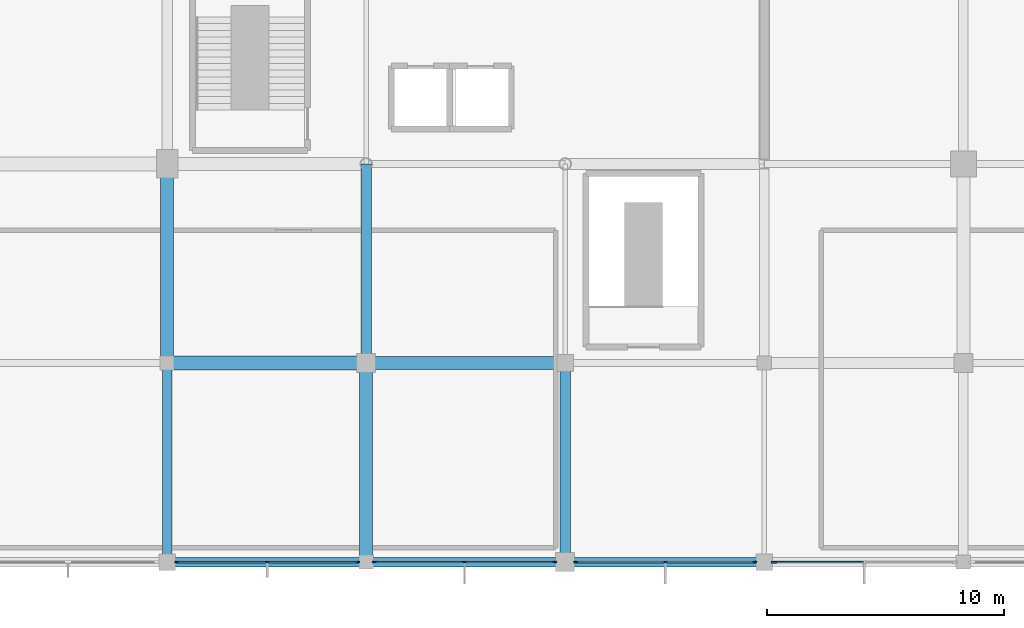
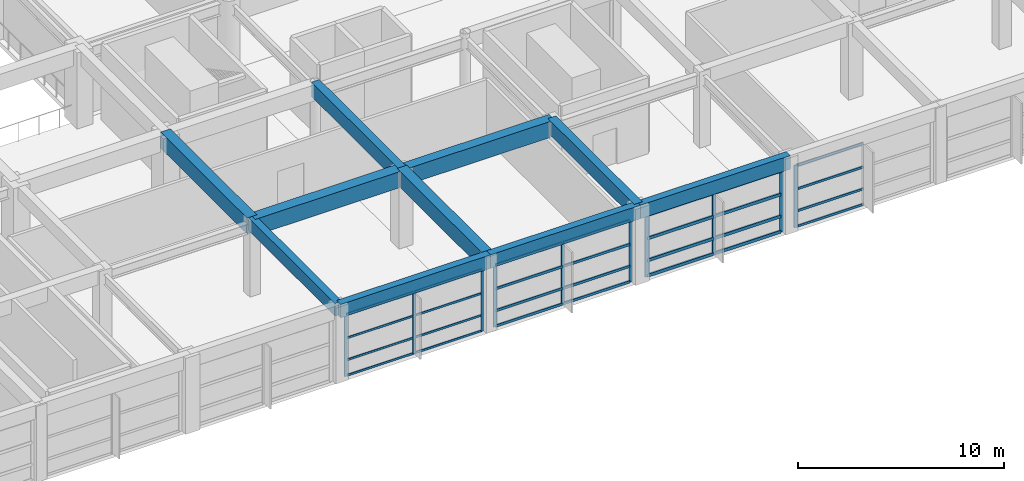
# One storey, part 18 of 56: 38 members, 10 beams, 4 elements without a shape of their own.
"""IFC4 building model written with IfcOpenShell, lengths in metres."""

from ifc_helpers import new_model, si_unit, direction, frame, origin, origin_2d, place, context, subcontext, project, spatial, rectangle, extrude, material, material_profile, profile_set, type_object, element, aggregate, save


model = new_model("IFC4")

# Units and contexts
model_context = context("Model", 3, precision=1e-05, world=origin(), true_north=direction((0.0, 1.0)))
body_context = subcontext(model_context, "Body", "Model", "MODEL_VIEW")
ifc_project = project(units=[si_unit("LENGTHUNIT", "METRE"), si_unit("AREAUNIT", "SQUARE_METRE"), si_unit("VOLUMEUNIT", "CUBIC_METRE"), si_unit("PLANEANGLEUNIT", "RADIAN"), si_unit("MASSUNIT", "GRAM", prefix="KILO")], contexts=[model_context])

# Site, building, storey
site_placement = place(None, origin())
site = spatial("IfcSite", under=ifc_project, at=site_placement, CompositionType="ELEMENT")
building_placement = place(site_placement, origin())
building = spatial("IfcBuilding", under=site, at=building_placement, Name="Xuanlan Plaza Opera House", CompositionType="ELEMENT")
storey_placement = place(building_placement, frame((0.0, 0.0, 18.89990234375)))
storey = spatial("IfcBuildingStorey", under=building, at=storey_placement, Name="L04", CompositionType="ELEMENT", Elevation=18.89990234375)

# Curtain wall, members
ifc_material_1 = material(Name="Anodised Aluminium 6063-T6 and Low-E Glass", Category="aluminium")
curtain_wall_type_1 = type_object("IfcCurtainWallType", Name="ENV-CW-CW-05", PredefinedType="USERDEFINED", material=ifc_material_1)
curtain_wall_1_placement = place(storey_placement, origin())
curtain_wall_1 = element("IfcCurtainWall", 1, at=curtain_wall_1_placement, inside=storey, type_object=curtain_wall_type_1, Name="Acoustic Glazed Wall L04-010", ObjectType="ACOUSTIC GLAZED WALL", PredefinedType="USERDEFINED")
ifc_material_2 = material(Name="Anodised Aluminium 6063-T6", Category="aluminium")
ifc_material_profile_1 = material_profile(ifc_material_2, rectangle(XDim=0.06494140625, YDim=0.159912109375, at=origin_2d()), Name="ALU-M 65x160")
ifc_profile_set_1 = profile_set([ifc_material_profile_1], Name="Anodised Aluminium 6063-T6")
member_type_1 = type_object("IfcMemberType", Name="ENV-CWM-01", PredefinedType="MULLION", material=ifc_profile_set_1)
member_1_placement = place(storey_placement, frame((101.202392578125, 16.800048828125, 0.0), z_axis=(0.0, 0.0, 1.0), x_axis=(0.0, 1.0, 0.0)))
member_1 = element("IfcMember", 2, at=member_1_placement, type_object=member_type_1, Name="CW-05 mullion 1", PredefinedType="MULLION", context=body_context, shape_type="SweptSolid", body=[
    extrude(rectangle(XDim=0.06494140625, YDim=0.159912109375, at=origin_2d()), origin(), (0.0, 0.0, 1.0), 3.68017578125),
])
member_2_placement = place(storey_placement, frame((105.02490234375, 16.800048828125, 0.0), z_axis=(0.0, 0.0, 1.0), x_axis=(0.0, 1.0, 0.0)))
member_2 = element("IfcMember", 3, at=member_2_placement, type_object=member_type_1, Name="CW-05 mullion 2", PredefinedType="MULLION", context=body_context, shape_type="SweptSolid", body=[
    extrude(rectangle(XDim=0.06494140625, YDim=0.159912109375, at=origin_2d()), origin(), (0.0, 0.0, 1.0), 3.68017578125),
])
member_3_placement = place(storey_placement, frame((108.847412109375, 16.800048828125, 0.0), z_axis=(0.0, 0.0, 1.0), x_axis=(0.0, 1.0, 0.0)))
member_3 = element("IfcMember", 4, at=member_3_placement, type_object=member_type_1, Name="CW-05 mullion 3", PredefinedType="MULLION", context=body_context, shape_type="SweptSolid", body=[
    extrude(rectangle(XDim=0.06494140625, YDim=0.159912109375, at=origin_2d()), origin(), (0.0, 0.0, 1.0), 3.68017578125),
])

curtain_wall_type_2 = type_object("IfcCurtainWallType", Name="ENV-CW-CW-06", PredefinedType="USERDEFINED", material=ifc_material_1)
curtain_wall_2_placement = place(storey_placement, origin())
curtain_wall_2 = element("IfcCurtainWall", 5, at=curtain_wall_2_placement, inside=storey, type_object=curtain_wall_type_2, Name="Acoustic Glazed Wall L04-011", ObjectType="ACOUSTIC GLAZED WALL", PredefinedType="USERDEFINED")
ifc_material_profile_2 = material_profile(ifc_material_2, rectangle(XDim=0.070068359375, YDim=0.179931640625, at=origin_2d()), Name="ALU-M 70x180")
ifc_profile_set_2 = profile_set([ifc_material_profile_2], Name="Anodised Aluminium 6063-T6")
member_type_2 = type_object("IfcMemberType", Name="ENV-CWM-02", PredefinedType="MULLION", material=ifc_profile_set_2)
member_4_placement = place(storey_placement, frame((109.554931640625, 16.800048828125, 0.0), z_axis=(0.0, 0.0, 1.0), x_axis=(0.0, 1.0, 0.0)))
member_4 = element("IfcMember", 6, at=member_4_placement, type_object=member_type_2, Name="CW-06 mullion 1", PredefinedType="MULLION", context=body_context, shape_type="SweptSolid", body=[
    extrude(rectangle(XDim=0.070068359375, YDim=0.179931640625, at=origin_2d()), origin(), (0.0, 0.0, 1.0), 3.68017578125),
])
member_5_placement = place(storey_placement, frame((113.35009765625, 16.800048828125, 0.0), z_axis=(0.0, 0.0, 1.0), x_axis=(0.0, 1.0, 0.0)))
member_5 = element("IfcMember", 7, at=member_5_placement, type_object=member_type_2, Name="CW-06 mullion 2", PredefinedType="MULLION", context=body_context, shape_type="SweptSolid", body=[
    extrude(rectangle(XDim=0.070068359375, YDim=0.179931640625, at=origin_2d()), origin(), (0.0, 0.0, 1.0), 3.68017578125),
])
member_6_placement = place(storey_placement, frame((117.14501953125, 16.800048828125, 0.0), z_axis=(0.0, 0.0, 1.0), x_axis=(0.0, 1.0, 0.0)))
member_6 = element("IfcMember", 8, at=member_6_placement, type_object=member_type_2, Name="CW-06 mullion 3", PredefinedType="MULLION", context=body_context, shape_type="SweptSolid", body=[
    extrude(rectangle(XDim=0.070068359375, YDim=0.179931640625, at=origin_2d()), origin(), (0.0, 0.0, 1.0), 3.68017578125),
])

curtain_wall_3_placement = place(storey_placement, origin())
curtain_wall_3 = element("IfcCurtainWall", 9, at=curtain_wall_3_placement, inside=storey, type_object=curtain_wall_type_1, Name="Acoustic Glazed Wall L04-012", ObjectType="ACOUSTIC GLAZED WALL", PredefinedType="USERDEFINED")
ifc_material_profile_3 = material_profile(ifc_material_2, rectangle(XDim=0.074951171875, YDim=0.199951171875, at=origin_2d()), Name="ALU-M 75x200")
ifc_profile_set_3 = profile_set([ifc_material_profile_3], Name="Anodised Aluminium 6063-T6")
member_type_3 = type_object("IfcMemberType", Name="ENV-CWM-03", PredefinedType="MULLION", material=ifc_profile_set_3)
member_7_placement = place(storey_placement, frame((118.0576171875, 16.800048828125, 0.0), z_axis=(0.0, 0.0, 1.0), x_axis=(0.0, 1.0, 0.0)))
member_7 = element("IfcMember", 10, at=member_7_placement, type_object=member_type_3, Name="CW-05 mullion 1", PredefinedType="MULLION", context=body_context, shape_type="SweptSolid", body=[
    extrude(rectangle(XDim=0.074951171875, YDim=0.199951171875, at=origin_2d()), origin(), (0.0, 0.0, 1.0), 3.68017578125),
])
member_8_placement = place(storey_placement, frame((121.824951171875, 16.800048828125, 0.0), z_axis=(0.0, 0.0, 1.0), x_axis=(0.0, 1.0, 0.0)))
member_8 = element("IfcMember", 11, at=member_8_placement, type_object=member_type_3, Name="CW-05 mullion 2", PredefinedType="MULLION", context=body_context, shape_type="SweptSolid", body=[
    extrude(rectangle(XDim=0.074951171875, YDim=0.199951171875, at=origin_2d()), origin(), (0.0, 0.0, 1.0), 3.68017578125),
])
member_9_placement = place(storey_placement, frame((125.592529296875, 16.800048828125, 0.0), z_axis=(0.0, 0.0, 1.0), x_axis=(0.0, 1.0, 0.0)))
member_9 = element("IfcMember", 12, at=member_9_placement, type_object=member_type_3, Name="CW-05 mullion 3", PredefinedType="MULLION", context=body_context, shape_type="SweptSolid", body=[
    extrude(rectangle(XDim=0.074951171875, YDim=0.199951171875, at=origin_2d()), origin(), (0.0, 0.0, 1.0), 3.68017578125),
])

# Curtain wall, member
curtain_wall_4_placement = place(storey_placement, origin())
curtain_wall_4 = element("IfcCurtainWall", 13, at=curtain_wall_4_placement, inside=storey, type_object=curtain_wall_type_2, Name="Acoustic Glazed Wall L04-013", ObjectType="ACOUSTIC GLAZED WALL", PredefinedType="USERDEFINED")
ifc_material_profile_4 = material_profile(ifc_material_2, rectangle(XDim=0.080078125, YDim=0.219970703125, at=origin_2d()), Name="ALU-M 80x220")
ifc_profile_set_4 = profile_set([ifc_material_profile_4], Name="Anodised Aluminium 6063-T6")
member_type_4 = type_object("IfcMemberType", Name="ENV-CWM-04", PredefinedType="MULLION", material=ifc_profile_set_4)
member_10_placement = place(storey_placement, frame((126.409912109375, 16.800048828125, 0.0), z_axis=(0.0, 0.0, 1.0), x_axis=(0.0, 1.0, 0.0)))
member_10 = element("IfcMember", 14, at=member_10_placement, type_object=member_type_4, Name="CW-06 mullion 1", PredefinedType="MULLION", context=body_context, shape_type="SweptSolid", body=[
    extrude(rectangle(XDim=0.080078125, YDim=0.219970703125, at=origin_2d()), origin(), (0.0, 0.0, 1.0), 3.68017578125),
])

# Member
ifc_material_profile_5 = material_profile(ifc_material_2, rectangle(XDim=0.06494140625, YDim=0.1201171875, at=origin_2d()), Name="ALU-T 65x120")
ifc_profile_set_5 = profile_set([ifc_material_profile_5], Name="Anodised Aluminium 6063-T6")
member_type_5 = type_object("IfcMemberType", Name="ENV-CWT-01", PredefinedType="USERDEFINED", material=ifc_profile_set_5)
member_11_placement = place(storey_placement, frame((101.235107421875, 16.800048828125, 0.03271484375), z_axis=(1.0, 0.0, 0.0), x_axis=(0.0, 1.0, 0.0)))
member_11 = element("IfcMember", 15, at=member_11_placement, type_object=member_type_5, Name="CW-05 transom 1.1", ObjectType="TRANSOM", PredefinedType="USERDEFINED", context=body_context, shape_type="SweptSolid", body=[
    extrude(rectangle(XDim=0.06494140625, YDim=0.1201171875, at=origin_2d()), origin(), (0.0, 0.0, 1.0), 3.75732421875),
])

member_12_placement = place(storey_placement, frame((101.235107421875, 16.800048828125, 0.9501953125), z_axis=(1.0, 0.0, 0.0), x_axis=(0.0, 1.0, 0.0)))
member_12 = element("IfcMember", 16, at=member_12_placement, type_object=member_type_5, Name="CW-05 transom 1.2", ObjectType="TRANSOM", PredefinedType="USERDEFINED", context=body_context, shape_type="SweptSolid", body=[
    extrude(rectangle(XDim=0.06494140625, YDim=0.1201171875, at=origin_2d()), origin(), (0.0, 0.0, 1.0), 3.75732421875),
])

member_13_placement = place(storey_placement, frame((101.235107421875, 16.800048828125, 2.25), z_axis=(1.0, 0.0, 0.0), x_axis=(0.0, 1.0, 0.0)))
member_13 = element("IfcMember", 17, at=member_13_placement, type_object=member_type_5, Name="CW-05 transom 1.3", ObjectType="TRANSOM", PredefinedType="USERDEFINED", context=body_context, shape_type="SweptSolid", body=[
    extrude(rectangle(XDim=0.06494140625, YDim=0.1201171875, at=origin_2d()), origin(), (0.0, 0.0, 1.0), 3.75732421875),
])

member_14_placement = place(storey_placement, frame((101.235107421875, 16.800048828125, 3.647705078125), z_axis=(1.0, 0.0, 0.0), x_axis=(0.0, 1.0, 0.0)))
member_14 = element("IfcMember", 18, at=member_14_placement, type_object=member_type_5, Name="CW-05 transom 1.4", ObjectType="TRANSOM", PredefinedType="USERDEFINED", context=body_context, shape_type="SweptSolid", body=[
    extrude(rectangle(XDim=0.06494140625, YDim=0.1201171875, at=origin_2d()), origin(), (0.0, 0.0, 1.0), 3.75732421875),
])

member_15_placement = place(storey_placement, frame((105.0576171875, 16.800048828125, 0.03271484375), z_axis=(1.0, 0.0, 0.0), x_axis=(0.0, 1.0, 0.0)))
member_15 = element("IfcMember", 19, at=member_15_placement, type_object=member_type_5, Name="CW-05 transom 2.1", ObjectType="TRANSOM", PredefinedType="USERDEFINED", context=body_context, shape_type="SweptSolid", body=[
    extrude(rectangle(XDim=0.06494140625, YDim=0.1201171875, at=origin_2d()), origin(), (0.0, 0.0, 1.0), 3.75732421875),
])

member_16_placement = place(storey_placement, frame((105.0576171875, 16.800048828125, 0.9501953125), z_axis=(1.0, 0.0, 0.0), x_axis=(0.0, 1.0, 0.0)))
member_16 = element("IfcMember", 20, at=member_16_placement, type_object=member_type_5, Name="CW-05 transom 2.2", ObjectType="TRANSOM", PredefinedType="USERDEFINED", context=body_context, shape_type="SweptSolid", body=[
    extrude(rectangle(XDim=0.06494140625, YDim=0.1201171875, at=origin_2d()), origin(), (0.0, 0.0, 1.0), 3.75732421875),
])

member_17_placement = place(storey_placement, frame((105.0576171875, 16.800048828125, 2.25), z_axis=(1.0, 0.0, 0.0), x_axis=(0.0, 1.0, 0.0)))
member_17 = element("IfcMember", 21, at=member_17_placement, type_object=member_type_5, Name="CW-05 transom 2.3", ObjectType="TRANSOM", PredefinedType="USERDEFINED", context=body_context, shape_type="SweptSolid", body=[
    extrude(rectangle(XDim=0.06494140625, YDim=0.1201171875, at=origin_2d()), origin(), (0.0, 0.0, 1.0), 3.75732421875),
])

member_18_placement = place(storey_placement, frame((105.0576171875, 16.800048828125, 3.647705078125), z_axis=(1.0, 0.0, 0.0), x_axis=(0.0, 1.0, 0.0)))
member_18 = element("IfcMember", 22, at=member_18_placement, type_object=member_type_5, Name="CW-05 transom 2.4", ObjectType="TRANSOM", PredefinedType="USERDEFINED", context=body_context, shape_type="SweptSolid", body=[
    extrude(rectangle(XDim=0.06494140625, YDim=0.1201171875, at=origin_2d()), origin(), (0.0, 0.0, 1.0), 3.75732421875),
])

aggregate(curtain_wall_1, [member_1, member_2, member_3, member_11, member_12, member_13, member_14, member_15, member_16, member_17, member_18])

ifc_material_profile_6 = material_profile(ifc_material_2, rectangle(XDim=0.070068359375, YDim=0.135009765625, at=origin_2d()), Name="ALU-T 70x135")
ifc_profile_set_6 = profile_set([ifc_material_profile_6], Name="Anodised Aluminium 6063-T6")
member_type_6 = type_object("IfcMemberType", Name="ENV-CWT-02", PredefinedType="USERDEFINED", material=ifc_profile_set_6)
member_19_placement = place(storey_placement, frame((126.449951171875, 16.800048828125, 0.03515625), z_axis=(1.0, 0.0, 0.0), x_axis=(0.0, 1.0, 0.0)))
member_19 = element("IfcMember", 23, at=member_19_placement, type_object=member_type_6, Name="CW-06 transom 1.1", ObjectType="TRANSOM", PredefinedType="USERDEFINED", context=body_context, shape_type="SweptSolid", body=[
    extrude(rectangle(XDim=0.070068359375, YDim=0.135009765625, at=origin_2d()), origin(), (0.0, 0.0, 1.0), 3.735107421875),
])

member_20_placement = place(storey_placement, frame((126.449951171875, 16.800048828125, 0.9501953125), z_axis=(1.0, 0.0, 0.0), x_axis=(0.0, 1.0, 0.0)))
member_20 = element("IfcMember", 24, at=member_20_placement, type_object=member_type_6, Name="CW-06 transom 1.2", ObjectType="TRANSOM", PredefinedType="USERDEFINED", context=body_context, shape_type="SweptSolid", body=[
    extrude(rectangle(XDim=0.070068359375, YDim=0.135009765625, at=origin_2d()), origin(), (0.0, 0.0, 1.0), 3.735107421875),
])

member_21_placement = place(storey_placement, frame((126.449951171875, 16.800048828125, 2.25), z_axis=(1.0, 0.0, 0.0), x_axis=(0.0, 1.0, 0.0)))
member_21 = element("IfcMember", 25, at=member_21_placement, type_object=member_type_6, Name="CW-06 transom 1.3", ObjectType="TRANSOM", PredefinedType="USERDEFINED", context=body_context, shape_type="SweptSolid", body=[
    extrude(rectangle(XDim=0.070068359375, YDim=0.135009765625, at=origin_2d()), origin(), (0.0, 0.0, 1.0), 3.735107421875),
])

member_22_placement = place(storey_placement, frame((126.449951171875, 16.800048828125, 3.64501953125), z_axis=(1.0, 0.0, 0.0), x_axis=(0.0, 1.0, 0.0)))
member_22 = element("IfcMember", 26, at=member_22_placement, type_object=member_type_6, Name="CW-06 transom 1.4", ObjectType="TRANSOM", PredefinedType="USERDEFINED", context=body_context, shape_type="SweptSolid", body=[
    extrude(rectangle(XDim=0.070068359375, YDim=0.135009765625, at=origin_2d()), origin(), (0.0, 0.0, 1.0), 3.735107421875),
])

aggregate(curtain_wall_4, [member_10, member_19, member_20, member_21, member_22])

ifc_material_profile_7 = material_profile(ifc_material_2, rectangle(XDim=0.074951171875, YDim=0.14990234375, at=origin_2d()), Name="ALU-T 75x150")
ifc_profile_set_7 = profile_set([ifc_material_profile_7], Name="Anodised Aluminium 6063-T6")
member_type_7 = type_object("IfcMemberType", Name="ENV-CWT-03", PredefinedType="USERDEFINED", material=ifc_profile_set_7)
member_23_placement = place(storey_placement, frame((109.590087890625, 16.800048828125, 0.03759765625), z_axis=(1.0, 0.0, 0.0), x_axis=(0.0, 1.0, 0.0)))
member_23 = element("IfcMember", 27, at=member_23_placement, type_object=member_type_7, Name="CW-06 transom 1.1", ObjectType="TRANSOM", PredefinedType="USERDEFINED", context=body_context, shape_type="SweptSolid", body=[
    extrude(rectangle(XDim=0.074951171875, YDim=0.14990234375, at=origin_2d()), origin(), (0.0, 0.0, 1.0), 3.724853515625),
])

member_24_placement = place(storey_placement, frame((109.590087890625, 16.800048828125, 0.9501953125), z_axis=(1.0, 0.0, 0.0), x_axis=(0.0, 1.0, 0.0)))
member_24 = element("IfcMember", 28, at=member_24_placement, type_object=member_type_7, Name="CW-06 transom 1.2", ObjectType="TRANSOM", PredefinedType="USERDEFINED", context=body_context, shape_type="SweptSolid", body=[
    extrude(rectangle(XDim=0.074951171875, YDim=0.14990234375, at=origin_2d()), origin(), (0.0, 0.0, 1.0), 3.724853515625),
])

member_25_placement = place(storey_placement, frame((109.590087890625, 16.800048828125, 2.25), z_axis=(1.0, 0.0, 0.0), x_axis=(0.0, 1.0, 0.0)))
member_25 = element("IfcMember", 29, at=member_25_placement, type_object=member_type_7, Name="CW-06 transom 1.3", ObjectType="TRANSOM", PredefinedType="USERDEFINED", context=body_context, shape_type="SweptSolid", body=[
    extrude(rectangle(XDim=0.074951171875, YDim=0.14990234375, at=origin_2d()), origin(), (0.0, 0.0, 1.0), 3.724853515625),
])

member_26_placement = place(storey_placement, frame((109.590087890625, 16.800048828125, 3.642578125), z_axis=(1.0, 0.0, 0.0), x_axis=(0.0, 1.0, 0.0)))
member_26 = element("IfcMember", 30, at=member_26_placement, type_object=member_type_7, Name="CW-06 transom 1.4", ObjectType="TRANSOM", PredefinedType="USERDEFINED", context=body_context, shape_type="SweptSolid", body=[
    extrude(rectangle(XDim=0.074951171875, YDim=0.14990234375, at=origin_2d()), origin(), (0.0, 0.0, 1.0), 3.724853515625),
])

member_27_placement = place(storey_placement, frame((113.385009765625, 16.800048828125, 0.03759765625), z_axis=(1.0, 0.0, 0.0), x_axis=(0.0, 1.0, 0.0)))
member_27 = element("IfcMember", 31, at=member_27_placement, type_object=member_type_7, Name="CW-06 transom 2.1", ObjectType="TRANSOM", PredefinedType="USERDEFINED", context=body_context, shape_type="SweptSolid", body=[
    extrude(rectangle(XDim=0.074951171875, YDim=0.14990234375, at=origin_2d()), origin(), (0.0, 0.0, 1.0), 3.72509765625),
])

member_28_placement = place(storey_placement, frame((113.385009765625, 16.800048828125, 0.9501953125), z_axis=(1.0, 0.0, 0.0), x_axis=(0.0, 1.0, 0.0)))
member_28 = element("IfcMember", 32, at=member_28_placement, type_object=member_type_7, Name="CW-06 transom 2.2", ObjectType="TRANSOM", PredefinedType="USERDEFINED", context=body_context, shape_type="SweptSolid", body=[
    extrude(rectangle(XDim=0.074951171875, YDim=0.14990234375, at=origin_2d()), origin(), (0.0, 0.0, 1.0), 3.72509765625),
])

member_29_placement = place(storey_placement, frame((113.385009765625, 16.800048828125, 2.25), z_axis=(1.0, 0.0, 0.0), x_axis=(0.0, 1.0, 0.0)))
member_29 = element("IfcMember", 33, at=member_29_placement, type_object=member_type_7, Name="CW-06 transom 2.3", ObjectType="TRANSOM", PredefinedType="USERDEFINED", context=body_context, shape_type="SweptSolid", body=[
    extrude(rectangle(XDim=0.074951171875, YDim=0.14990234375, at=origin_2d()), origin(), (0.0, 0.0, 1.0), 3.72509765625),
])

member_30_placement = place(storey_placement, frame((113.385009765625, 16.800048828125, 3.642578125), z_axis=(1.0, 0.0, 0.0), x_axis=(0.0, 1.0, 0.0)))
member_30 = element("IfcMember", 34, at=member_30_placement, type_object=member_type_7, Name="CW-06 transom 2.4", ObjectType="TRANSOM", PredefinedType="USERDEFINED", context=body_context, shape_type="SweptSolid", body=[
    extrude(rectangle(XDim=0.074951171875, YDim=0.14990234375, at=origin_2d()), origin(), (0.0, 0.0, 1.0), 3.72509765625),
])

aggregate(curtain_wall_2, [member_4, member_5, member_6, member_23, member_24, member_25, member_26, member_27, member_28, member_29, member_30])

ifc_material_profile_8 = material_profile(ifc_material_2, rectangle(XDim=0.090087890625, YDim=0.179931640625, at=origin_2d()), Name="ALU-T 90x180")
ifc_profile_set_8 = profile_set([ifc_material_profile_8], Name="Anodised Aluminium 6063-T6")
member_type_8 = type_object("IfcMemberType", Name="ENV-CWT-05", PredefinedType="USERDEFINED", material=ifc_profile_set_8)
member_31_placement = place(storey_placement, frame((118.094970703125, 16.800048828125, 0.045166015625), z_axis=(1.0, 0.0, 0.0), x_axis=(0.0, 1.0, 0.0)))
member_31 = element("IfcMember", 35, at=member_31_placement, type_object=member_type_8, Name="CW-05 transom 1.1", ObjectType="TRANSOM", PredefinedType="USERDEFINED", context=body_context, shape_type="SweptSolid", body=[
    extrude(rectangle(XDim=0.090087890625, YDim=0.179931640625, at=origin_2d()), origin(), (0.0, 0.0, 1.0), 3.692626953125),
])

member_32_placement = place(storey_placement, frame((118.094970703125, 16.800048828125, 0.9501953125), z_axis=(1.0, 0.0, 0.0), x_axis=(0.0, 1.0, 0.0)))
member_32 = element("IfcMember", 36, at=member_32_placement, type_object=member_type_8, Name="CW-05 transom 1.2", ObjectType="TRANSOM", PredefinedType="USERDEFINED", context=body_context, shape_type="SweptSolid", body=[
    extrude(rectangle(XDim=0.090087890625, YDim=0.179931640625, at=origin_2d()), origin(), (0.0, 0.0, 1.0), 3.692626953125),
])

member_33_placement = place(storey_placement, frame((118.094970703125, 16.800048828125, 2.25), z_axis=(1.0, 0.0, 0.0), x_axis=(0.0, 1.0, 0.0)))
member_33 = element("IfcMember", 37, at=member_33_placement, type_object=member_type_8, Name="CW-05 transom 1.3", ObjectType="TRANSOM", PredefinedType="USERDEFINED", context=body_context, shape_type="SweptSolid", body=[
    extrude(rectangle(XDim=0.090087890625, YDim=0.179931640625, at=origin_2d()), origin(), (0.0, 0.0, 1.0), 3.692626953125),
])

member_34_placement = place(storey_placement, frame((118.094970703125, 16.800048828125, 3.635009765625), z_axis=(1.0, 0.0, 0.0), x_axis=(0.0, 1.0, 0.0)))
member_34 = element("IfcMember", 38, at=member_34_placement, type_object=member_type_8, Name="CW-05 transom 1.4", ObjectType="TRANSOM", PredefinedType="USERDEFINED", context=body_context, shape_type="SweptSolid", body=[
    extrude(rectangle(XDim=0.090087890625, YDim=0.179931640625, at=origin_2d()), origin(), (0.0, 0.0, 1.0), 3.692626953125),
])

member_35_placement = place(storey_placement, frame((121.862548828125, 16.800048828125, 0.045166015625), z_axis=(1.0, 0.0, 0.0), x_axis=(0.0, 1.0, 0.0)))
member_35 = element("IfcMember", 39, at=member_35_placement, type_object=member_type_8, Name="CW-05 transom 2.1", ObjectType="TRANSOM", PredefinedType="USERDEFINED", context=body_context, shape_type="SweptSolid", body=[
    extrude(rectangle(XDim=0.090087890625, YDim=0.179931640625, at=origin_2d()), origin(), (0.0, 0.0, 1.0), 3.6923828125),
])

member_36_placement = place(storey_placement, frame((121.862548828125, 16.800048828125, 0.9501953125), z_axis=(1.0, 0.0, 0.0), x_axis=(0.0, 1.0, 0.0)))
member_36 = element("IfcMember", 40, at=member_36_placement, type_object=member_type_8, Name="CW-05 transom 2.2", ObjectType="TRANSOM", PredefinedType="USERDEFINED", context=body_context, shape_type="SweptSolid", body=[
    extrude(rectangle(XDim=0.090087890625, YDim=0.179931640625, at=origin_2d()), origin(), (0.0, 0.0, 1.0), 3.6923828125),
])

member_37_placement = place(storey_placement, frame((121.862548828125, 16.800048828125, 2.25), z_axis=(1.0, 0.0, 0.0), x_axis=(0.0, 1.0, 0.0)))
member_37 = element("IfcMember", 41, at=member_37_placement, type_object=member_type_8, Name="CW-05 transom 2.3", ObjectType="TRANSOM", PredefinedType="USERDEFINED", context=body_context, shape_type="SweptSolid", body=[
    extrude(rectangle(XDim=0.090087890625, YDim=0.179931640625, at=origin_2d()), origin(), (0.0, 0.0, 1.0), 3.6923828125),
])

member_38_placement = place(storey_placement, frame((121.862548828125, 16.800048828125, 3.635009765625), z_axis=(1.0, 0.0, 0.0), x_axis=(0.0, 1.0, 0.0)))
member_38 = element("IfcMember", 42, at=member_38_placement, type_object=member_type_8, Name="CW-05 transom 2.4", ObjectType="TRANSOM", PredefinedType="USERDEFINED", context=body_context, shape_type="SweptSolid", body=[
    extrude(rectangle(XDim=0.090087890625, YDim=0.179931640625, at=origin_2d()), origin(), (0.0, 0.0, 1.0), 3.6923828125),
])

aggregate(curtain_wall_3, [member_7, member_8, member_9, member_31, member_32, member_33, member_34, member_35, member_36, member_37, member_38])

# Beams
ifc_material_3 = material(Name="Concrete C50", Category="concrete")
ifc_material_profile_9 = material_profile(ifc_material_3, rectangle(XDim=0.60009765625, YDim=0.949951171875, at=origin_2d()), Name="RC-BM 600x950")
ifc_profile_set_9 = profile_set([ifc_material_profile_9], Name="Concrete C50")
beam_type_1 = type_object("IfcBeamType", Name="STR-BM-B-01", PredefinedType="BEAM", material=ifc_profile_set_9)
beam_1_placement = place(storey_placement, frame((100.800048828125, 25.199951171875, 4.025146484375), z_axis=(1.0, 0.0, 0.0), x_axis=(0.0, 1.0, 0.0)))
element("IfcBeam", 43, at=beam_1_placement, inside=storey, type_object=beam_type_1, Name="Grid Beam X L04 13-14/D", PredefinedType="BEAM", context=body_context, shape_type="SweptSolid", body=[
    extrude(rectangle(XDim=0.60009765625, YDim=0.949951171875, at=origin_2d()), origin(), (0.0, 0.0, 1.0), 8.39990234375),
])
ifc_material_profile_10 = material_profile(ifc_material_3, rectangle(XDim=0.550048828125, YDim=0.949951171875, at=origin_2d()), Name="RC-BM 550x950")
ifc_profile_set_10 = profile_set([ifc_material_profile_10], Name="Concrete C50")
beam_type_2 = type_object("IfcBeamType", Name="STR-BM-B-02", PredefinedType="BEAM", material=ifc_profile_set_10)
for number, where, z_axis, x_axis, name in (
    (44, (109.199951171875, 25.199951171875, 4.025146484375), (1.0, 0.0, 0.0), (0.0, 1.0, 0.0), "Grid Beam X L04 14-15/D"),
    (45, (100.800048828125, 25.199951171875, 4.025146484375), (0.0, 1.0, 0.0), (-1.0, 0.0, 0.0), "Grid Beam Y L04 13/D-E"),
):
    element("IfcBeam", number, at=place(storey_placement, frame(where, z_axis=z_axis, x_axis=x_axis)), inside=storey, type_object=beam_type_2, Name=name, PredefinedType="BEAM", context=body_context, shape_type="SweptSolid", body=[
        extrude(rectangle(XDim=0.550048828125, YDim=0.949951171875, at=origin_2d()), origin(), (0.0, 0.0, 1.0), 8.400146484375),
    ])
beam_2_placement = place(storey_placement, frame((109.199951171875, 16.800048828125, 4.025146484375), z_axis=(0.0, 1.0, 0.0), x_axis=(-1.0, 0.0, 0.0)))
element("IfcBeam", 46, at=beam_2_placement, inside=storey, type_object=beam_type_2, Name="Grid Beam Y L04 14/C-D", PredefinedType="BEAM", context=body_context, shape_type="SweptSolid", body=[
    extrude(rectangle(XDim=0.550048828125, YDim=0.949951171875, at=origin_2d()), origin(), (0.0, 0.0, 1.0), 8.39990234375),
])
ifc_material_4 = material(Name="Concrete C40", Category="concrete")
ifc_material_profile_11 = material_profile(ifc_material_4, rectangle(XDim=0.449951171875, YDim=0.85009765625, at=origin_2d()), Name="RC-BM 450x850")
ifc_profile_set_11 = profile_set([ifc_material_profile_11], Name="Concrete C40")
beam_type_3 = type_object("IfcBeamType", Name="STR-BM-B-04", PredefinedType="BEAM", material=ifc_profile_set_11)
beam_3_placement = place(storey_placement, frame((109.199951171875, 25.199951171875, 4.0751953125), z_axis=(0.0, 1.0, 0.0), x_axis=(-1.0, 0.0, 0.0)))
element("IfcBeam", 47, at=beam_3_placement, inside=storey, type_object=beam_type_3, Name="Grid Beam Y L04 14/D-E", PredefinedType="BEAM", context=body_context, shape_type="SweptSolid", body=[
    extrude(rectangle(XDim=0.449951171875, YDim=0.85009765625, at=origin_2d()), origin(), (0.0, 0.0, 1.0), 8.400146484375),
])
beam_4_placement = place(storey_placement, frame((117.60009765625, 16.800048828125, 4.0751953125), z_axis=(0.0, 1.0, 0.0), x_axis=(-1.0, 0.0, 0.0)))
element("IfcBeam", 48, at=beam_4_placement, inside=storey, type_object=beam_type_3, Name="Grid Beam Y L04 15/C-D", PredefinedType="BEAM", context=body_context, shape_type="SweptSolid", body=[
    extrude(rectangle(XDim=0.449951171875, YDim=0.85009765625, at=origin_2d()), origin(), (0.0, 0.0, 1.0), 8.39990234375),
])
ifc_material_profile_12 = material_profile(ifc_material_4, rectangle(XDim=0.39990234375, YDim=0.75, at=origin_2d()), Name="RC-BM 400x750")
ifc_profile_set_12 = profile_set([ifc_material_profile_12], Name="Concrete C40")
beam_type_4 = type_object("IfcBeamType", Name="STR-BM-B-06", PredefinedType="BEAM", material=ifc_profile_set_12)
beam_5_placement = place(storey_placement, frame((100.800048828125, 16.800048828125, 4.125), z_axis=(0.0, 1.0, 0.0), x_axis=(-1.0, 0.0, 0.0)))
element("IfcBeam", 49, at=beam_5_placement, inside=storey, type_object=beam_type_4, Name="Grid Beam Y L04 13/C-D", PredefinedType="BEAM", context=body_context, shape_type="SweptSolid", body=[
    extrude(rectangle(XDim=0.39990234375, YDim=0.75, at=origin_2d()), origin(), (0.0, 0.0, 1.0), 8.39990234375),
])
ifc_material_profile_13 = material_profile(ifc_material_4, rectangle(XDim=0.39990234375, YDim=0.800048828125, at=origin_2d()), Name="RC-SPD 400x800")
ifc_profile_set_13 = profile_set([ifc_material_profile_13], Name="Concrete C40")
beam_type_5 = type_object("IfcBeamType", Name="STR-BM-SP-01", PredefinedType="SPANDREL", material=ifc_profile_set_13)
beam_6_placement = place(storey_placement, frame((100.800048828125, 16.800048828125, 4.10009765625), z_axis=(1.0, 0.0, 0.0), x_axis=(0.0, 1.0, 0.0)))
element("IfcBeam", 50, at=beam_6_placement, inside=storey, type_object=beam_type_5, Name="Grid Beam X L04 13-14/C", PredefinedType="SPANDREL", context=body_context, shape_type="SweptSolid", body=[
    extrude(rectangle(XDim=0.39990234375, YDim=0.800048828125, at=origin_2d()), origin(), (0.0, 0.0, 1.0), 8.39990234375),
])
beam_7_placement = place(storey_placement, frame((109.199951171875, 16.800048828125, 4.10009765625), z_axis=(1.0, 0.0, 0.0), x_axis=(0.0, 1.0, 0.0)))
element("IfcBeam", 51, at=beam_7_placement, inside=storey, type_object=beam_type_5, Name="Grid Beam X L04 14-15/C", PredefinedType="SPANDREL", context=body_context, shape_type="SweptSolid", body=[
    extrude(rectangle(XDim=0.39990234375, YDim=0.800048828125, at=origin_2d()), origin(), (0.0, 0.0, 1.0), 8.400146484375),
])
beam_8_placement = place(storey_placement, frame((117.60009765625, 16.800048828125, 4.10009765625), z_axis=(1.0, 0.0, 0.0), x_axis=(0.0, 1.0, 0.0)))
element("IfcBeam", 52, at=beam_8_placement, inside=storey, type_object=beam_type_5, Name="Grid Beam X L04 15-16/C", PredefinedType="SPANDREL", context=body_context, shape_type="SweptSolid", body=[
    extrude(rectangle(XDim=0.39990234375, YDim=0.800048828125, at=origin_2d()), origin(), (0.0, 0.0, 1.0), 8.39990234375),
])

save(model, "model.ifc")
